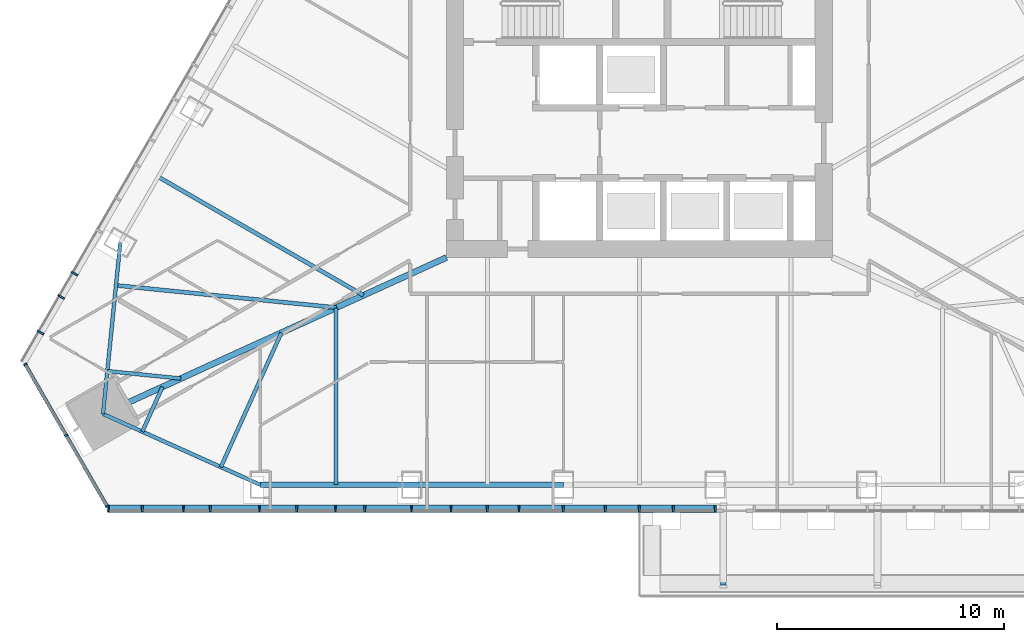
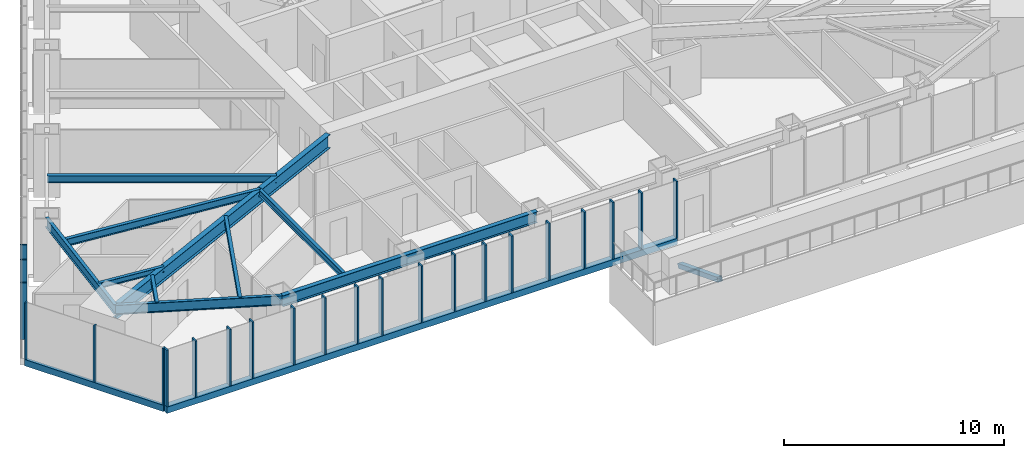
# One storey, part 2 of 17: 26 members, 10 beams, 3 elements without a shape of their own.
"""IFC4 building model written with IfcOpenShell, lengths in metres."""

from ifc_helpers import new_model, si_unit, direction, frame, origin, origin_2d, place, context, subcontext, project, spatial, rectangle, hollow_rectangle, i_section, extrude, material, layer, layer_set, material_profile, profile_set, type_object, element, aggregate, save


model = new_model("IFC4")

# Units and contexts
model_context = context("Model", 3, precision=1e-05, world=origin(), true_north=direction((0.0, 1.0)))
body_context = subcontext(model_context, "Body", "Model", "MODEL_VIEW")
ifc_project = project(units=[si_unit("LENGTHUNIT", "METRE"), si_unit("AREAUNIT", "SQUARE_METRE"), si_unit("VOLUMEUNIT", "CUBIC_METRE"), si_unit("PLANEANGLEUNIT", "RADIAN"), si_unit("MASSUNIT", "GRAM", prefix="KILO")], contexts=[model_context])

# Site, building, storey
site_placement = place(None, origin())
site = spatial("IfcSite", under=ifc_project, at=site_placement, CompositionType="ELEMENT")
building_placement = place(site_placement, origin())
building = spatial("IfcBuilding", under=site, at=building_placement, Name="Firuza Gate Tower and Library", CompositionType="ELEMENT")
storey_placement = place(building_placement, frame((0.0, 0.0, 263.60009765625)))
storey = spatial("IfcBuildingStorey", under=building, at=storey_placement, Name="L62", CompositionType="ELEMENT", Elevation=263.60009765625)

# Curtain wall, members
ifc_material_1 = material(Name="Aluminium 6063-T6", Category="aluminium")
ifc_layer_1 = layer(ifc_material_1, 0.14990234375)
ifc_layer_set_1 = layer_set([ifc_layer_1], Name="Corner curtain wall, chamfers")
curtain_wall_type_1 = type_object("IfcCurtainWallType", Name="Corner curtain wall, chamfers", PredefinedType="NOTDEFINED", material=ifc_layer_set_1)
placement = place(storey_placement, origin())
curtain_wall_1 = element("IfcCurtainWall", 1, at=placement, inside=storey, type_object=curtain_wall_type_1, Name="CW4 L62 SW corner", PredefinedType="NOTDEFINED")
ifc_material_2 = material(Name="Aluminium 6063-T6", Category="aluminium")
ifc_material_profile_1 = material_profile(ifc_material_2, rectangle(XDim=0.14990234375, YDim=0.080078125, at=origin_2d()))
ifc_profile_set_1 = profile_set([ifc_material_profile_1], Name="Aluminium 6063-T6")
member_type_1 = type_object("IfcMemberType", Name="Curtain wall mullion 80x150", PredefinedType="MULLION", material=ifc_profile_set_1)
member_1_placement = place(storey_placement, frame((47.944091796875, 63.5400390625, 0.14990234375), z_axis=(0.0, 0.0, 1.0), x_axis=(0.866025403784, 0.5, 0.0)))
member_1 = element("IfcMember", 2, at=member_1_placement, type_object=member_type_1, Name="Mullion", PredefinedType="MULLION", context=body_context, shape_type="SweptSolid", body=[
    extrude(rectangle(XDim=0.14990234375, YDim=0.080078125, at=origin_2d()), origin(), (0.0, 0.0, 1.0), 3.14990234375),
])
member_2_placement = place(storey_placement, frame((49.74560546875, 60.41943359375, 0.14990234375), z_axis=(0.0, 0.0, 1.0), x_axis=(0.866025403784, 0.5, 0.0)))
member_2 = element("IfcMember", 3, at=member_2_placement, type_object=member_type_1, Name="Mullion", PredefinedType="MULLION", context=body_context, shape_type="SweptSolid", body=[
    extrude(rectangle(XDim=0.14990234375, YDim=0.080078125, at=origin_2d()), origin(), (0.0, 0.0, 1.0), 3.14990234375),
])
member_3_placement = place(storey_placement, frame((51.54736328125, 57.298828125, 0.14990234375), z_axis=(0.0, 0.0, 1.0), x_axis=(0.866025403784, 0.5, 0.0)))
member_3 = element("IfcMember", 4, at=member_3_placement, type_object=member_type_1, Name="Mullion", PredefinedType="MULLION", context=body_context, shape_type="SweptSolid", body=[
    extrude(rectangle(XDim=0.14990234375, YDim=0.080078125, at=origin_2d()), origin(), (0.0, 0.0, 1.0), 3.14990234375),
])

ifc_material_3 = material(Name="Aluminium 6063-T6", Category="aluminium")
ifc_layer_2 = layer(ifc_material_3, 0.14990234375)
ifc_layer_set_2 = layer_set([ifc_layer_2], Name="Unitised curtain wall, residences")
curtain_wall_type_2 = type_object("IfcCurtainWallType", Name="Unitised curtain wall, residences", PredefinedType="NOTDEFINED", material=ifc_layer_set_2)
curtain_wall_2 = element("IfcCurtainWall", 5, at=placement, inside=storey, type_object=curtain_wall_type_2, Name="CW3 L62 S face", PredefinedType="NOTDEFINED")
ifc_material_4 = material(Name="Aluminium 6063-T6", Category="aluminium")
ifc_material_profile_2 = material_profile(ifc_material_4, rectangle(XDim=0.320068359375, YDim=0.080078125, at=origin_2d()))
ifc_profile_set_2 = profile_set([ifc_material_profile_2], Name="Aluminium 6063-T6")
member_type_2 = type_object("IfcMemberType", Name="Curtain wall mullion 80x320", PredefinedType="MULLION", material=ifc_profile_set_2)
member_4_placement = place(storey_placement, frame((51.607421875, 57.17919921875, 0.14990234375), z_axis=(0.0, 0.0, 1.0), x_axis=(0.0, 1.0, 0.0)))
member_4 = element("IfcMember", 6, at=member_4_placement, type_object=member_type_2, Name="Mullion", PredefinedType="MULLION", context=body_context, shape_type="SweptSolid", body=[
    extrude(rectangle(XDim=0.320068359375, YDim=0.080078125, at=origin_2d()), origin(), (0.0, 0.0, 1.0), 3.14990234375),
])
member_5_placement = place(storey_placement, frame((54.914794921875, 57.17919921875, 0.14990234375), z_axis=(0.0, 0.0, 1.0), x_axis=(0.0, 1.0, 0.0)))
member_5 = element("IfcMember", 7, at=member_5_placement, type_object=member_type_2, Name="Mullion", PredefinedType="MULLION", context=body_context, shape_type="SweptSolid", body=[
    extrude(rectangle(XDim=0.320068359375, YDim=0.080078125, at=origin_2d()), origin(), (0.0, 0.0, 1.0), 3.14990234375),
])
member_6_placement = place(storey_placement, frame((58.262451171875, 57.17919921875, 0.14990234375), z_axis=(0.0, 0.0, 1.0), x_axis=(0.0, 1.0, 0.0)))
member_6 = element("IfcMember", 8, at=member_6_placement, type_object=member_type_2, Name="Mullion", PredefinedType="MULLION", context=body_context, shape_type="SweptSolid", body=[
    extrude(rectangle(XDim=0.320068359375, YDim=0.080078125, at=origin_2d()), origin(), (0.0, 0.0, 1.0), 3.14990234375),
])
member_7_placement = place(storey_placement, frame((61.60986328125, 57.17919921875, 0.14990234375), z_axis=(0.0, 0.0, 1.0), x_axis=(0.0, 1.0, 0.0)))
member_7 = element("IfcMember", 9, at=member_7_placement, type_object=member_type_2, Name="Mullion", PredefinedType="MULLION", context=body_context, shape_type="SweptSolid", body=[
    extrude(rectangle(XDim=0.320068359375, YDim=0.080078125, at=origin_2d()), origin(), (0.0, 0.0, 1.0), 3.14990234375),
])
member_8_placement = place(storey_placement, frame((64.95751953125, 57.17919921875, 0.14990234375), z_axis=(0.0, 0.0, 1.0), x_axis=(0.0, 1.0, 0.0)))
member_8 = element("IfcMember", 10, at=member_8_placement, type_object=member_type_2, Name="Mullion", PredefinedType="MULLION", context=body_context, shape_type="SweptSolid", body=[
    extrude(rectangle(XDim=0.320068359375, YDim=0.080078125, at=origin_2d()), origin(), (0.0, 0.0, 1.0), 3.14990234375),
])
member_9_placement = place(storey_placement, frame((68.304931640625, 57.17919921875, 0.14990234375), z_axis=(0.0, 0.0, 1.0), x_axis=(0.0, 1.0, 0.0)))
member_9 = element("IfcMember", 11, at=member_9_placement, type_object=member_type_2, Name="Mullion", PredefinedType="MULLION", context=body_context, shape_type="SweptSolid", body=[
    extrude(rectangle(XDim=0.320068359375, YDim=0.080078125, at=origin_2d()), origin(), (0.0, 0.0, 1.0), 3.14990234375),
])
member_10_placement = place(storey_placement, frame((71.652587890625, 57.17919921875, 0.14990234375), z_axis=(0.0, 0.0, 1.0), x_axis=(0.0, 1.0, 0.0)))
member_10 = element("IfcMember", 12, at=member_10_placement, type_object=member_type_2, Name="Mullion", PredefinedType="MULLION", context=body_context, shape_type="SweptSolid", body=[
    extrude(rectangle(XDim=0.320068359375, YDim=0.080078125, at=origin_2d()), origin(), (0.0, 0.0, 1.0), 3.14990234375),
])
member_11_placement = place(storey_placement, frame((75.0, 57.17919921875, 0.14990234375), z_axis=(0.0, 0.0, 1.0), x_axis=(0.0, 1.0, 0.0)))
member_11 = element("IfcMember", 13, at=member_11_placement, type_object=member_type_2, Name="Mullion", PredefinedType="MULLION", context=body_context, shape_type="SweptSolid", body=[
    extrude(rectangle(XDim=0.320068359375, YDim=0.080078125, at=origin_2d()), origin(), (0.0, 0.0, 1.0), 3.14990234375),
])
member_12_placement = place(storey_placement, frame((78.347412109375, 57.17919921875, 0.14990234375), z_axis=(0.0, 0.0, 1.0), x_axis=(0.0, 1.0, 0.0)))
member_12 = element("IfcMember", 14, at=member_12_placement, type_object=member_type_2, Name="Mullion", PredefinedType="MULLION", context=body_context, shape_type="SweptSolid", body=[
    extrude(rectangle(XDim=0.320068359375, YDim=0.080078125, at=origin_2d()), origin(), (0.0, 0.0, 1.0), 3.14990234375),
])
member_13_placement = place(storey_placement, frame((53.101806640625, 57.17919921875, 0.14990234375), z_axis=(0.0, 0.0, 1.0), x_axis=(0.0, 1.0, 0.0)))
member_13 = element("IfcMember", 15, at=member_13_placement, type_object=member_type_2, Name="Mullion", PredefinedType="MULLION", context=body_context, shape_type="SweptSolid", body=[
    extrude(rectangle(XDim=0.320068359375, YDim=0.080078125, at=origin_2d()), origin(), (0.0, 0.0, 1.0), 3.14990234375),
])
member_14_placement = place(storey_placement, frame((56.09814453125, 57.17919921875, 0.14990234375), z_axis=(0.0, 0.0, 1.0), x_axis=(0.0, 1.0, 0.0)))
member_14 = element("IfcMember", 16, at=member_14_placement, type_object=member_type_2, Name="Mullion", PredefinedType="MULLION", context=body_context, shape_type="SweptSolid", body=[
    extrude(rectangle(XDim=0.320068359375, YDim=0.080078125, at=origin_2d()), origin(), (0.0, 0.0, 1.0), 3.14990234375),
])
member_15_placement = place(storey_placement, frame((59.90185546875, 57.17919921875, 0.14990234375), z_axis=(0.0, 0.0, 1.0), x_axis=(0.0, 1.0, 0.0)))
member_15 = element("IfcMember", 17, at=member_15_placement, type_object=member_type_2, Name="Mullion", PredefinedType="MULLION", context=body_context, shape_type="SweptSolid", body=[
    extrude(rectangle(XDim=0.320068359375, YDim=0.080078125, at=origin_2d()), origin(), (0.0, 0.0, 1.0), 3.14990234375),
])
member_16_placement = place(storey_placement, frame((62.898193359375, 57.17919921875, 0.14990234375), z_axis=(0.0, 0.0, 1.0), x_axis=(0.0, 1.0, 0.0)))
member_16 = element("IfcMember", 18, at=member_16_placement, type_object=member_type_2, Name="Mullion", PredefinedType="MULLION", context=body_context, shape_type="SweptSolid", body=[
    extrude(rectangle(XDim=0.320068359375, YDim=0.080078125, at=origin_2d()), origin(), (0.0, 0.0, 1.0), 3.14990234375),
])
member_17_placement = place(storey_placement, frame((66.701904296875, 57.17919921875, 0.14990234375), z_axis=(0.0, 0.0, 1.0), x_axis=(0.0, 1.0, 0.0)))
member_17 = element("IfcMember", 19, at=member_17_placement, type_object=member_type_2, Name="Mullion", PredefinedType="MULLION", context=body_context, shape_type="SweptSolid", body=[
    extrude(rectangle(XDim=0.320068359375, YDim=0.080078125, at=origin_2d()), origin(), (0.0, 0.0, 1.0), 3.14990234375),
])
member_18_placement = place(storey_placement, frame((69.6982421875, 57.17919921875, 0.14990234375), z_axis=(0.0, 0.0, 1.0), x_axis=(0.0, 1.0, 0.0)))
member_18 = element("IfcMember", 20, at=member_18_placement, type_object=member_type_2, Name="Mullion", PredefinedType="MULLION", context=body_context, shape_type="SweptSolid", body=[
    extrude(rectangle(XDim=0.320068359375, YDim=0.080078125, at=origin_2d()), origin(), (0.0, 0.0, 1.0), 3.14990234375),
])
member_19_placement = place(storey_placement, frame((73.501708984375, 57.17919921875, 0.14990234375), z_axis=(0.0, 0.0, 1.0), x_axis=(0.0, 1.0, 0.0)))
member_19 = element("IfcMember", 21, at=member_19_placement, type_object=member_type_2, Name="Mullion", PredefinedType="MULLION", context=body_context, shape_type="SweptSolid", body=[
    extrude(rectangle(XDim=0.320068359375, YDim=0.080078125, at=origin_2d()), origin(), (0.0, 0.0, 1.0), 3.14990234375),
])
member_20_placement = place(storey_placement, frame((76.498291015625, 57.17919921875, 0.14990234375), z_axis=(0.0, 0.0, 1.0), x_axis=(0.0, 1.0, 0.0)))
member_20 = element("IfcMember", 22, at=member_20_placement, type_object=member_type_2, Name="Mullion", PredefinedType="MULLION", context=body_context, shape_type="SweptSolid", body=[
    extrude(rectangle(XDim=0.320068359375, YDim=0.080078125, at=origin_2d()), origin(), (0.0, 0.0, 1.0), 3.14990234375),
])

curtain_wall_3 = element("IfcCurtainWall", 23, at=placement, inside=storey, type_object=curtain_wall_type_2, Name="CW3 L62 W face", PredefinedType="NOTDEFINED")
member_21_placement = place(storey_placement, frame((49.524169921875, 66.51611328125, 0.14990234375), z_axis=(0.0, 0.0, 1.0), x_axis=(0.866025403784, -0.5, 0.0)))
member_21 = element("IfcMember", 24, at=member_21_placement, type_object=member_type_2, Name="Mullion", PredefinedType="MULLION", context=body_context, shape_type="SweptSolid", body=[
    extrude(rectangle(XDim=0.320068359375, YDim=0.080078125, at=origin_2d()), origin(), (0.0, 0.0, 1.0), 3.14990234375),
])
member_22_placement = place(storey_placement, frame((50.115966796875, 67.541015625, 0.14990234375), z_axis=(0.0, 0.0, 1.0), x_axis=(0.866025403784, -0.5, 0.0)))
member_22 = element("IfcMember", 25, at=member_22_placement, type_object=member_type_2, Name="Mullion", PredefinedType="MULLION", context=body_context, shape_type="SweptSolid", body=[
    extrude(rectangle(XDim=0.320068359375, YDim=0.080078125, at=origin_2d()), origin(), (0.0, 0.0, 1.0), 3.14990234375),
])
member_23_placement = place(storey_placement, frame((48.61767578125, 64.946044921875, 0.14990234375), z_axis=(0.0, 0.0, 1.0), x_axis=(0.866025403784, -0.5, 0.0)))
member_23 = element("IfcMember", 26, at=member_23_placement, type_object=member_type_2, Name="Mullion", PredefinedType="MULLION", context=body_context, shape_type="SweptSolid", body=[
    extrude(rectangle(XDim=0.320068359375, YDim=0.080078125, at=origin_2d()), origin(), (0.0, 0.0, 1.0), 3.14990234375),
])
aggregate(curtain_wall_3, [member_21, member_22, member_23])

# Member
ifc_material_5 = material(Name="Aluminium 6063-T6", Category="aluminium")
ifc_material_profile_3 = material_profile(ifc_material_5, rectangle(XDim=0.14990234375, YDim=0.35009765625, at=origin_2d()))
ifc_profile_set_3 = profile_set([ifc_material_profile_3], Name="Aluminium 6063-T6")
member_type_3 = type_object("IfcMemberType", Name="Curtain wall transom 350x150", PredefinedType="USERDEFINED", material=ifc_profile_set_3)
member_24_placement = place(storey_placement, frame((47.924072265625, 63.57470703125, -0.025146484375), z_axis=(0.499991211061, -0.866030478021, 0.0), x_axis=(0.866030478021, 0.499991211061, 0.0)))
member_24 = element("IfcMember", 27, at=member_24_placement, type_object=member_type_3, Name="Transom", ObjectType="TRANSOM", PredefinedType="USERDEFINED", context=body_context, shape_type="SweptSolid", body=[
    extrude(rectangle(XDim=0.14990234375, YDim=0.35009765625, at=origin_2d()), origin(), (0.0, 0.0, 1.0), 7.286865234375),
])

aggregate(curtain_wall_1, [member_1, member_2, member_3, member_24])

ifc_material_6 = material(Name="Aluminium 6063-T6", Category="aluminium")
ifc_material_profile_4 = material_profile(ifc_material_6, rectangle(XDim=0.320068359375, YDim=0.35009765625, at=origin_2d()))
ifc_profile_set_4 = profile_set([ifc_material_profile_4], Name="Aluminium 6063-T6")
member_type_4 = type_object("IfcMemberType", Name="Curtain wall transom 350x320", PredefinedType="USERDEFINED", material=ifc_profile_set_4)
member_25_placement = place(storey_placement, frame((51.5673828125, 57.17919921875, -0.025146484375), z_axis=(1.0, 0.0, 0.0), x_axis=(0.0, 1.0, 0.0)))
member_25 = element("IfcMember", 28, at=member_25_placement, type_object=member_type_4, Name="Transom", ObjectType="TRANSOM", PredefinedType="USERDEFINED", context=body_context, shape_type="SweptSolid", body=[
    extrude(rectangle(XDim=0.320068359375, YDim=0.35009765625, at=origin_2d()), origin(), (0.0, 0.0, 1.0), 26.780029296875),
])

aggregate(curtain_wall_2, [member_4, member_5, member_6, member_7, member_8, member_9, member_10, member_11, member_12, member_25, member_13, member_14, member_15, member_16, member_17, member_18, member_19, member_20])

ifc_material_7 = material(Name="Steel S355", Category="steel")
ifc_material_profile_5 = material_profile(ifc_material_7, hollow_rectangle(XDim=0.25390625, YDim=0.25390625, WallThickness=0.01171875, at=origin_2d()))
ifc_profile_set_5 = profile_set([ifc_material_profile_5], Name="Steel S355")
member_type_5 = type_object("IfcMemberType", Name="HSS254x254x13 Tray strut", PredefinedType="BRACE", material=ifc_profile_set_5)
member_26_placement = place(storey_placement, frame((78.699951171875, 57.3671875, -1.670166015625), z_axis=(0.0, -0.931995182262, 0.362470661215), x_axis=(1.0, 0.0, 0.0)))
element("IfcMember", 29, at=member_26_placement, inside=storey, type_object=member_type_5, Name="Tray strut L62 col:L61:S4", PredefinedType="BRACE", context=body_context, shape_type="SweptSolid", body=[
    extrude(hollow_rectangle(XDim=0.25390625, YDim=0.25390625, WallThickness=0.01171875, at=origin_2d()), origin(), (0.0, 0.0, 1.0), 3.86279296875),
])

# Beams
ifc_material_8 = material(Name="Steel S355", Category="steel")
ifc_material_profile_6 = material_profile(ifc_material_8, i_section(OverallWidth=0.1650390625, OverallDepth=0.31005859375, WebThickness=0.005859375, FlangeThickness=0.009765625, at=origin_2d()))
ifc_profile_set_6 = profile_set([ifc_material_profile_6], Name="Steel S355")
beam_type_1 = type_object("IfcBeamType", Name="W310x39 Floor beam", PredefinedType="JOIST", material=ifc_profile_set_6)
beam_1_placement = place(storey_placement, frame((51.56005859375, 63.24560546875, 3.14501953125), z_axis=(0.994958907801, -0.100283457198, 0.0), x_axis=(0.100283457198, 0.994958907801, 0.0)))
element("IfcBeam", 30, at=beam_1_placement, inside=storey, type_object=beam_type_1, Name="Floor beam L62 s01", PredefinedType="JOIST", context=body_context, shape_type="SweptSolid", body=[
    extrude(i_section(OverallWidth=0.1650390625, OverallDepth=0.31005859375, WebThickness=0.005859375, FlangeThickness=0.009765625, at=origin_2d()), origin(), (0.0, 0.0, 1.0), 3.2548828125),
])
beam_2_placement = place(storey_placement, frame((53.1005859375, 60.577392578125, 3.14501953125), z_axis=(0.41051012012, 0.911856041971, 0.0), x_axis=(-0.911856041971, 0.41051012012, 0.0)))
element("IfcBeam", 31, at=beam_2_placement, inside=storey, type_object=beam_type_1, Name="Floor beam L62 s10", PredefinedType="JOIST", context=body_context, shape_type="SweptSolid", body=[
    extrude(i_section(OverallWidth=0.1650390625, OverallDepth=0.31005859375, WebThickness=0.005859375, FlangeThickness=0.009765625, at=origin_2d()), origin(), (0.0, 0.0, 1.0), 2.16357421875),
])
beam_3_placement = place(storey_placement, frame((56.5625, 59.0185546875, 3.14501953125), z_axis=(0.410569556243, 0.911829281986, 0.0), x_axis=(-0.911829281986, 0.410569556243, 0.0)))
element("IfcBeam", 32, at=beam_3_placement, inside=storey, type_object=beam_type_1, Name="Floor beam L62 s11", PredefinedType="JOIST", context=body_context, shape_type="SweptSolid", body=[
    extrude(i_section(OverallWidth=0.1650390625, OverallDepth=0.31005859375, WebThickness=0.005859375, FlangeThickness=0.009765625, at=origin_2d()), origin(), (0.0, 0.0, 1.0), 6.490478515625),
])
ifc_material_9 = material(Name="Steel S355", Category="steel")
ifc_material_profile_7 = material_profile(ifc_material_9, i_section(OverallWidth=0.1708984375, OverallDepth=0.35498046875, WebThickness=0.007080078125, FlangeThickness=0.01171875, at=origin_2d()))
ifc_profile_set_7 = profile_set([ifc_material_profile_7], Name="Steel S355")
beam_type_2 = type_object("IfcBeamType", Name="W360x51 Floor beam", PredefinedType="JOIST", material=ifc_profile_set_7)
beam_4_placement = place(storey_placement, frame((61.634765625, 58.2392578125, 3.122314453125), z_axis=(0.0, 1.0, 0.0), x_axis=(-1.0, 0.0, 0.0)))
element("IfcBeam", 33, at=beam_4_placement, inside=storey, type_object=beam_type_2, Name="Floor beam L62 s20", PredefinedType="JOIST", context=body_context, shape_type="SweptSolid", body=[
    extrude(i_section(OverallWidth=0.1708984375, OverallDepth=0.35498046875, WebThickness=0.007080078125, FlangeThickness=0.01171875, at=origin_2d()), origin(), (0.0, 0.0, 1.0), 7.794189453125),
])
ifc_material_10 = material(Name="Steel S355", Category="steel")
ifc_material_profile_8 = material_profile(ifc_material_10, i_section(OverallWidth=0.177978515625, OverallDepth=0.406982421875, WebThickness=0.0078125, FlangeThickness=0.0126953125, at=origin_2d()))
ifc_profile_set_8 = profile_set([ifc_material_profile_8], Name="Steel S355")
beam_type_3 = type_object("IfcBeamType", Name="W410x60 Floor beam", PredefinedType="JOIST", material=ifc_profile_set_8)
beam_5_placement = place(storey_placement, frame((51.94091796875, 67.023193359375, 3.096435546875), z_axis=(0.994953917278, -0.100332958161, 0.0), x_axis=(0.100332958161, 0.994953917278, 0.0)))
element("IfcBeam", 34, at=beam_5_placement, inside=storey, type_object=beam_type_3, Name="Floor beam L62 s00", PredefinedType="JOIST", context=body_context, shape_type="SweptSolid", body=[
    extrude(i_section(OverallWidth=0.177978515625, OverallDepth=0.406982421875, WebThickness=0.0078125, FlangeThickness=0.0126953125, at=origin_2d()), origin(), (0.0, 0.0, 1.0), 9.764892578125),
])
beam_6_placement = place(storey_placement, frame((53.802001953125, 71.8056640625, 3.096435546875), z_axis=(0.866025950195, -0.499999053588, 0.0), x_axis=(0.499999053588, 0.866025950195, 0.0)))
element("IfcBeam", 35, at=beam_6_placement, inside=storey, type_object=beam_type_3, Name="Floor beam L62 s84", PredefinedType="JOIST", context=body_context, shape_type="SweptSolid", body=[
    extrude(i_section(OverallWidth=0.177978515625, OverallDepth=0.406982421875, WebThickness=0.0078125, FlangeThickness=0.0126953125, at=origin_2d()), origin(), (0.0, 0.0, 1.0), 10.44189453125),
])
ifc_material_11 = material(Name="Steel S355", Category="steel")
ifc_material_profile_9 = material_profile(ifc_material_11, i_section(OverallWidth=0.166015625, OverallDepth=0.534912109375, WebThickness=0.01025390625, FlangeThickness=0.0166015625, at=origin_2d()))
ifc_profile_set_9 = profile_set([ifc_material_profile_9], Name="Steel S355")
beam_type_4 = type_object("IfcBeamType", Name="W530x85 Edge beam", PredefinedType="SPANDREL", material=ifc_profile_set_9)
for number, where, z_axis, x_axis, name in (
    (36, (52.13134765625, 68.911865234375, 3.032470703125), (-0.100315454149, -0.994955682259, 0.0), (0.994955682259, -0.100315454149, 0.0), "Edge beam L62 e00"),
    (37, (51.36962890625, 61.35693359375, 3.032470703125), (0.91181980498, -0.410590602969, 0.0), (0.410590602969, 0.91181980498, 0.0), "Edge beam L62 e10"),
):
    element("IfcBeam", number, at=place(storey_placement, frame(where, z_axis=z_axis, x_axis=x_axis)), inside=storey, type_object=beam_type_4, Name=name, PredefinedType="SPANDREL", context=body_context, shape_type="SweptSolid", body=[
        extrude(i_section(OverallWidth=0.166015625, OverallDepth=0.534912109375, WebThickness=0.01025390625, FlangeThickness=0.0166015625, at=origin_2d()), origin(), (0.0, 0.0, 1.0), 7.59326171875),
    ])
ifc_material_12 = material(Name="Steel S355", Category="steel")
ifc_material_profile_10 = material_profile(ifc_material_12, i_section(OverallWidth=0.22900390625, OverallDepth=0.612060546875, WebThickness=0.011962890625, FlangeThickness=0.01953125, at=origin_2d()))
ifc_profile_set_10 = profile_set([ifc_material_profile_10], Name="Steel S355")
beam_type_5 = type_object("IfcBeamType", Name="W610x125 Edge beam", PredefinedType="SPANDREL", material=ifc_profile_set_10)
beam_7_placement = place(storey_placement, frame((58.293212890625, 58.2392578125, 2.993896484375), z_axis=(1.0, 0.0, 0.0), x_axis=(0.0, 1.0, 0.0)))
element("IfcBeam", 38, at=beam_7_placement, inside=storey, type_object=beam_type_5, Name="Edge beam L62 e20", PredefinedType="SPANDREL", context=body_context, shape_type="SweptSolid", body=[
    extrude(i_section(OverallWidth=0.22900390625, OverallDepth=0.612060546875, WebThickness=0.011962890625, FlangeThickness=0.01953125, at=origin_2d()), origin(), (0.0, 0.0, 1.0), 13.365478515625),
])
ifc_material_13 = material(Name="Steel S355", Category="steel")
ifc_material_profile_11 = material_profile(ifc_material_13, i_section(OverallWidth=0.264892578125, OverallDepth=0.7529296875, WebThickness=0.01318359375, FlangeThickness=0.01708984375, at=origin_2d()))
ifc_profile_set_11 = profile_set([ifc_material_profile_11], Name="Steel S355")
beam_type_6 = type_object("IfcBeamType", Name="W760x147 Girder", PredefinedType="BEAM", material=ifc_profile_set_11)
beam_8_placement = place(storey_placement, frame((51.36962890625, 61.35693359375, 2.92333984375), z_axis=(0.910012124578, 0.414581636256, 0.0), x_axis=(-0.414581636256, 0.910012124578, 0.0)))
element("IfcBeam", 39, at=beam_8_placement, inside=storey, type_object=beam_type_6, Name="Girder L62 gSW", PredefinedType="BEAM", context=body_context, shape_type="SweptSolid", body=[
    extrude(i_section(OverallWidth=0.264892578125, OverallDepth=0.7529296875, WebThickness=0.01318359375, FlangeThickness=0.01708984375, at=origin_2d()), origin(), (0.0, 0.0, 1.0), 16.62646484375),
])

save(model, "model.ifc")
